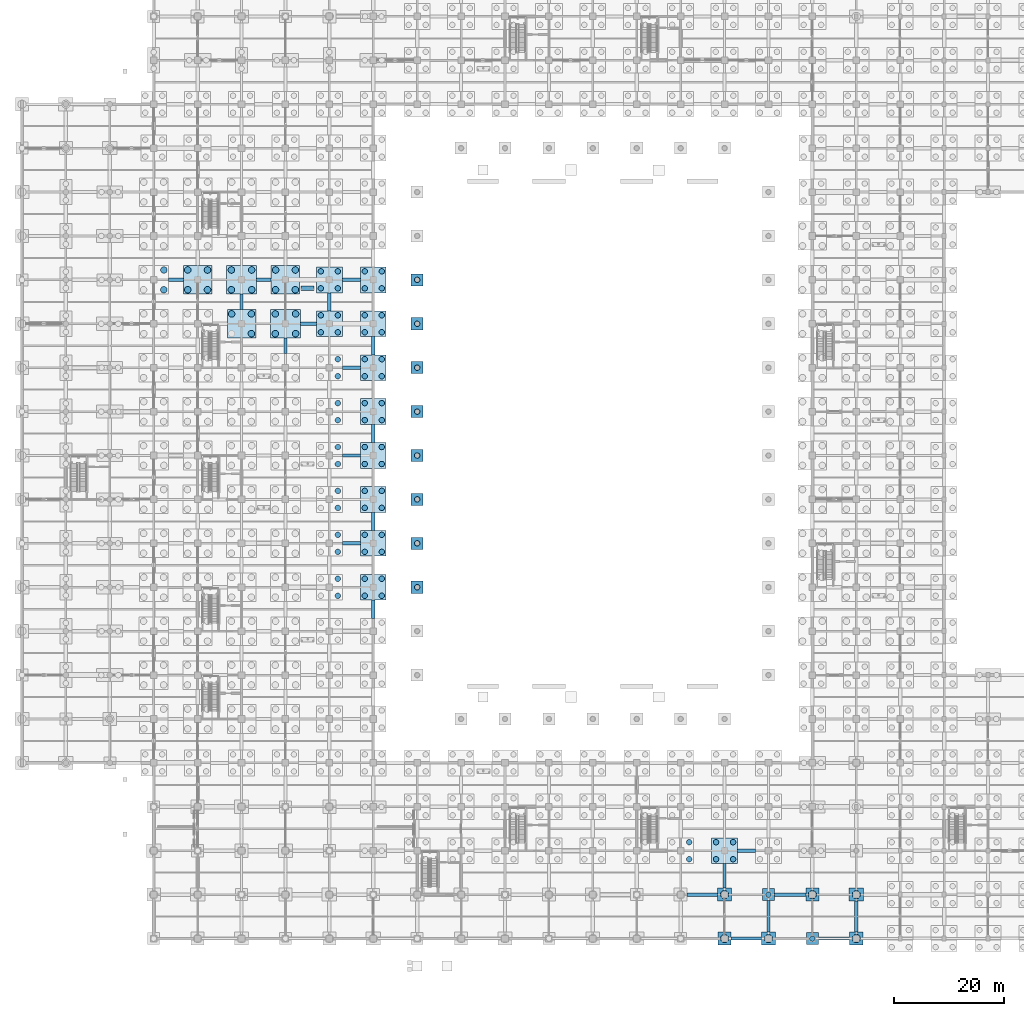
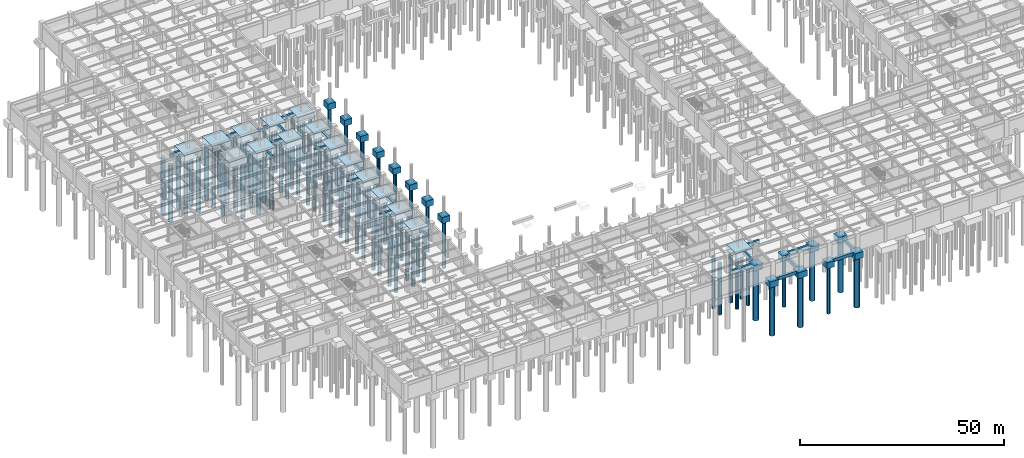
# One storey, part 7 of 97: 95 piles, 55 footings.
"""IFC4 building model written with IfcOpenShell, lengths in metres."""

from ifc_helpers import new_model, si_unit, direction, frame, origin, origin_2d, place, context, subcontext, project, spatial, rectangle, circle, extrude, material, layer, layer_set, material_profile, profile_set, type_object, element, save


model = new_model("IFC4")

# Units and contexts
model_context = context("Model", 3, precision=1e-05, world=origin(), true_north=direction((0.0, 1.0)))
body_context = subcontext(model_context, "Body", "Model", "MODEL_VIEW")
ifc_project = project(units=[si_unit("LENGTHUNIT", "METRE"), si_unit("AREAUNIT", "SQUARE_METRE"), si_unit("VOLUMEUNIT", "CUBIC_METRE"), si_unit("PLANEANGLEUNIT", "RADIAN"), si_unit("MASSUNIT", "GRAM", prefix="KILO")], contexts=[model_context])

# Site, building, storey
site_placement = place(None, origin())
site = spatial("IfcSite", under=ifc_project, at=site_placement, CompositionType="ELEMENT")
building_placement = place(site_placement, origin())
building = spatial("IfcBuilding", under=site, at=building_placement, Name="Haebicheon Civic Stadium", CompositionType="ELEMENT")
storey_placement = place(building_placement, frame((0.0, 0.0, -5.39990234375)))
storey = spatial("IfcBuildingStorey", under=building, at=storey_placement, Name="B1", CompositionType="ELEMENT", Elevation=-5.39990234375)

# Footings
ifc_material_1 = material(Name="Concrete C40/50", Category="concrete")
ifc_layer_1 = layer(ifc_material_1, 1.0, Name="Concrete C40/50")
ifc_layer_set_1 = layer_set([ifc_layer_1], Name="Concrete C40/50")
footing_type_1 = type_object("IfcFootingType", Name="FB-2700x600", PredefinedType="FOOTING_BEAM", material=ifc_layer_set_1)
for number, where, z_axis, x_axis, name in (
    (1, (28.050048828125, 120.0, -1.0), (0.0, 0.0, 1.0), (1.0, 0.0, 0.0), "Ground tie beam X 03-15"),
    (2, (44.050048828125, 120.0, -1.0), (0.0, 0.0, 1.0), (1.0, 0.0, 0.0), "Ground tie beam X 05-15"),
):
    element("IfcFooting", number, at=place(storey_placement, frame(where, z_axis=z_axis, x_axis=x_axis)), inside=storey, type_object=footing_type_1, material=ifc_layer_set_1, Name=name, PredefinedType="FOOTING_BEAM", context=body_context, shape_type="SweptSolid", body=[
        extrude(rectangle(XDim=2.699951171875, YDim=0.60009765625, at=origin_2d()), origin(), (0.0, 0.0, 1.0), 1.0),
    ])
ifc_material_2 = material(Name="Concrete C40/50", Category="concrete")
ifc_layer_2 = layer(ifc_material_2, 1.0, Name="Concrete C40/50")
ifc_layer_set_2 = layer_set([ifc_layer_2], Name="Concrete C40/50")
footing_type_2 = type_object("IfcFootingType", Name="FB-2800x600", PredefinedType="FOOTING_BEAM", material=ifc_layer_set_2)
for number, where, z_axis, x_axis, name in (
    (3, (40.0, 116.0, -1.0), (0.0, 0.0, 1.0), (0.0, 1.0, 0.0), "Ground tie beam Y 05-14"),
    (4, (48.0, 108.0, -1.0), (0.0, 0.0, 1.0), (0.0, 1.0, 0.0), "Ground tie beam Y 06-13"),
):
    element("IfcFooting", number, at=place(storey_placement, frame(where, z_axis=z_axis, x_axis=x_axis)), inside=storey, type_object=footing_type_2, material=ifc_layer_set_2, Name=name, PredefinedType="FOOTING_BEAM", context=body_context, shape_type="SweptSolid", body=[
        extrude(rectangle(XDim=2.800048828125, YDim=0.60009765625, at=origin_2d()), origin(), (0.0, 0.0, 1.0), 1.0),
    ])
ifc_material_3 = material(Name="Concrete C40/50", Category="concrete")
ifc_layer_3 = layer(ifc_material_3, 1.0, Name="Concrete C40/50")
ifc_layer_set_3 = layer_set([ifc_layer_3], Name="Concrete C40/50")
footing_type_3 = type_object("IfcFootingType", Name="FB-2950x600", PredefinedType="FOOTING_BEAM", material=ifc_layer_set_3)
footing_1_placement = place(storey_placement, frame((52.175048828125, 112.0, -1.0), z_axis=(0.0, 0.0, 1.0), x_axis=(1.0, 0.0, 0.0)))
element("IfcFooting", 5, at=footing_1_placement, inside=storey, type_object=footing_type_3, material=ifc_layer_set_3, Name="Ground tie beam X 06-14", PredefinedType="FOOTING_BEAM", context=body_context, shape_type="SweptSolid", body=[
    extrude(rectangle(XDim=2.949951171875, YDim=0.60009765625, at=origin_2d()), origin(), (0.0, 0.0, 1.0), 1.0),
])
ifc_material_4 = material(Name="Concrete C40/50", Category="concrete")
ifc_layer_4 = layer(ifc_material_4, 1.0, Name="Concrete C40/50")
ifc_layer_set_4 = layer_set([ifc_layer_4], Name="Concrete C40/50")
footing_type_4 = type_object("IfcFootingType", Name="FB-3300x600", PredefinedType="FOOTING_BEAM", material=ifc_layer_set_4)
for number, where, z_axis, x_axis, name in (
    (6, (60.0, 72.0, -1.0), (0.0, 0.0, 1.0), (1.0, 0.0, 0.0), "Ground tie beam X 07-09"),
    (7, (60.0, 88.0, -1.0), (0.0, 0.0, 1.0), (1.0, 0.0, 0.0), "Ground tie beam X 07-11"),
    (8, (60.0, 104.0, -1.0), (0.0, 0.0, 1.0), (1.0, 0.0, 0.0), "Ground tie beam X 07-13"),
    (9, (56.0, 116.0, -1.0), (0.0, 0.0, 1.0), (0.0, 1.0, 0.0), "Ground tie beam Y 07-14"),
    (10, (60.0, 120.0, -1.0), (0.0, 0.0, 1.0), (1.0, 0.0, 0.0), "Ground tie beam X 07-15"),
    (11, (64.0, 60.0, -1.0), (0.0, 0.0, 1.0), (0.0, 1.0, 0.0), "Ground tie beam Y 08-07"),
    (12, (64.0, 76.0, -1.0), (0.0, 0.0, 1.0), (0.0, 1.0, 0.0), "Ground tie beam Y 08-09"),
    (13, (64.0, 92.0, -1.0), (0.0, 0.0, 1.0), (0.0, 1.0, 0.0), "Ground tie beam Y 08-11"),
    (14, (64.0, 108.0, -1.0), (0.0, 0.0, 1.0), (0.0, 1.0, 0.0), "Ground tie beam Y 08-13"),
    (15, (132.0, 16.0, -1.0), (0.0, 0.0, 1.0), (1.0, 0.0, 0.0), "Ground tie beam X 16-02"),
):
    element("IfcFooting", number, at=place(storey_placement, frame(where, z_axis=z_axis, x_axis=x_axis)), inside=storey, type_object=footing_type_4, material=ifc_layer_set_4, Name=name, PredefinedType="FOOTING_BEAM", context=body_context, shape_type="SweptSolid", body=[
        extrude(rectangle(XDim=3.300048828125, YDim=0.60009765625, at=origin_2d()), origin(), (0.0, 0.0, 1.0), 1.0),
    ])
ifc_material_5 = material(Name="Concrete C40/50", Category="concrete")
ifc_layer_5 = layer(ifc_material_5, 1.0, Name="Concrete C40/50")
ifc_layer_set_5 = layer_set([ifc_layer_5], Name="Concrete C40/50")
footing_type_5 = type_object("IfcFootingType", Name="FB-4450x600", PredefinedType="FOOTING_BEAM", material=ifc_layer_set_5)
footing_2_placement = place(storey_placement, frame((128.0, 11.425048828125, -1.0), z_axis=(0.0, 0.0, 1.0), x_axis=(0.0, 1.0, 0.0)))
element("IfcFooting", 16, at=footing_2_placement, inside=storey, type_object=footing_type_5, material=ifc_layer_set_5, Name="Ground tie beam Y 16-01", PredefinedType="FOOTING_BEAM", context=body_context, shape_type="SweptSolid", body=[
    extrude(rectangle(XDim=4.449951171875, YDim=0.60009765625, at=origin_2d()), origin(), (0.0, 0.0, 1.0), 1.0),
])
ifc_material_6 = material(Name="Concrete C40/50", Category="concrete")
ifc_layer_6 = layer(ifc_material_6, 1.0, Name="Concrete C40/50")
ifc_layer_set_6 = layer_set([ifc_layer_6], Name="Concrete C40/50")
footing_type_6 = type_object("IfcFootingType", Name="FB-5500x600", PredefinedType="FOOTING_BEAM", material=ifc_layer_set_6)
for number, where, z_axis, x_axis, name in (
    (17, (123.949951171875, 8.0, -1.0), (0.0, 0.0, 1.0), (1.0, 0.0, 0.0), "Ground tie beam X 15-01"),
    (18, (131.949951171875, 0.0, -1.0), (0.0, 0.0, 1.0), (1.0, 0.0, 0.0), "Ground tie beam X 16-00"),
):
    element("IfcFooting", number, at=place(storey_placement, frame(where, z_axis=z_axis, x_axis=x_axis)), inside=storey, type_object=footing_type_6, material=ifc_layer_set_6, Name=name, PredefinedType="FOOTING_BEAM", context=body_context, shape_type="SweptSolid", body=[
        extrude(rectangle(XDim=5.5, YDim=0.60009765625, at=origin_2d()), origin(), (0.0, 0.0, 1.0), 1.0),
    ])
ifc_material_7 = material(Name="Concrete C40/50", Category="concrete")
ifc_layer_7 = layer(ifc_material_7, 1.0, Name="Concrete C40/50")
ifc_layer_set_7 = layer_set([ifc_layer_7], Name="Concrete C40/50")
footing_type_7 = type_object("IfcFootingType", Name="FB-5600x600", PredefinedType="FOOTING_BEAM", material=ifc_layer_set_7)
footing_3_placement = place(storey_placement, frame((152.0, 4.0, -1.0), z_axis=(0.0, 0.0, 1.0), x_axis=(0.0, 1.0, 0.0)))
element("IfcFooting", 19, at=footing_3_placement, inside=storey, type_object=footing_type_7, material=ifc_layer_set_7, Name="Ground tie beam Y 19-00", PredefinedType="FOOTING_BEAM", context=body_context, shape_type="SweptSolid", body=[
    extrude(rectangle(XDim=5.60009765625, YDim=0.60009765625, at=origin_2d()), origin(), (0.0, 0.0, 1.0), 1.0),
])
ifc_material_8 = material(Name="Concrete C40/50", Category="concrete")
ifc_layer_8 = layer(ifc_material_8, 1.0, Name="Concrete C40/50")
ifc_layer_set_8 = layer_set([ifc_layer_8], Name="Concrete C40/50")
footing_type_8 = type_object("IfcFootingType", Name="FB-5700x600", PredefinedType="FOOTING_BEAM", material=ifc_layer_set_8)
for number, where, z_axis, x_axis, name in (
    (20, (136.0, 4.050048828125, -1.0), (0.0, 0.0, 1.0), (0.0, 1.0, 0.0), "Ground tie beam Y 17-00"),
    (21, (139.949951171875, 8.0, -1.0), (0.0, 0.0, 1.0), (1.0, 0.0, 0.0), "Ground tie beam X 17-01"),
    (22, (147.949951171875, 0.0, -1.0), (0.0, 0.0, 1.0), (1.0, 0.0, 0.0), "Ground tie beam X 18-00"),
):
    element("IfcFooting", number, at=place(storey_placement, frame(where, z_axis=z_axis, x_axis=x_axis)), inside=storey, type_object=footing_type_8, material=ifc_layer_set_8, Name=name, PredefinedType="FOOTING_BEAM", context=body_context, shape_type="SweptSolid", body=[
        extrude(rectangle(XDim=5.699951171875, YDim=0.60009765625, at=origin_2d()), origin(), (0.0, 0.0, 1.0), 1.0),
    ])
ifc_material_9 = material(Name="Concrete C40/50", Category="concrete")
ifc_layer_9 = layer(ifc_material_9, 1.800048828125, Name="Concrete C40/50")
ifc_layer_set_9 = layer_set([ifc_layer_9], Name="Concrete C40/50")
footing_type_9 = type_object("IfcFootingType", Name="PC-1P-2200", PredefinedType="PILE_CAP", material=ifc_layer_set_9)
for number, where, z_axis, x_axis, name in (
    (23, (136.0, 8.0, -1.80029296875), (0.0, 0.0, 1.0), (1.0, 0.0, 0.0), "Pile cap FT-PC-17-01"),
    (24, (144.0, 0.0, -1.80029296875), (0.0, 0.0, 1.0), (1.0, 0.0, 0.0), "Pile cap FT-PC-18-00"),
    (25, (72.0, 64.0, -1.80029296875), (0.0, 0.0, 1.0), (1.0, 0.0, 0.0), "Bowl pier pile cap FT-BPC-003"),
    (26, (72.0, 72.0, -1.80029296875), (0.0, 0.0, 1.0), (1.0, 0.0, 0.0), "Bowl pier pile cap FT-BPC-004"),
    (27, (72.0, 80.0, -1.80029296875), (0.0, 0.0, 1.0), (1.0, 0.0, 0.0), "Bowl pier pile cap FT-BPC-005"),
    (28, (72.0, 88.0, -1.80029296875), (0.0, 0.0, 1.0), (1.0, 0.0, 0.0), "Bowl pier pile cap FT-BPC-006"),
    (29, (72.0, 96.0, -1.80029296875), (0.0, 0.0, 1.0), (1.0, 0.0, 0.0), "Bowl pier pile cap FT-BPC-007"),
    (30, (72.0, 104.0, -1.80029296875), (0.0, 0.0, 1.0), (1.0, 0.0, 0.0), "Bowl pier pile cap FT-BPC-008"),
    (31, (72.0, 112.0, -1.80029296875), (0.0, 0.0, 1.0), (1.0, 0.0, 0.0), "Bowl pier pile cap FT-BPC-009"),
    (32, (72.0, 120.0, -1.80029296875), (0.0, 0.0, 1.0), (1.0, 0.0, 0.0), "Bowl pier pile cap FT-BPC-010"),
):
    element("IfcFooting", number, at=place(storey_placement, frame(where, z_axis=z_axis, x_axis=x_axis)), inside=storey, type_object=footing_type_9, material=ifc_layer_set_9, Name=name, PredefinedType="PILE_CAP", context=body_context, shape_type="SweptSolid", body=[
        extrude(rectangle(XDim=2.199951171875, YDim=2.199951171875, at=origin_2d()), origin(), (0.0, 0.0, 1.0), 1.800048828125),
    ])
ifc_material_10 = material(Name="Concrete C40/50", Category="concrete")
ifc_layer_10 = layer(ifc_material_10, 1.800048828125, Name="Concrete C40/50")
ifc_layer_set_10 = layer_set([ifc_layer_10], Name="Concrete C40/50")
footing_type_10 = type_object("IfcFootingType", Name="PC-1P-2400", PredefinedType="PILE_CAP", material=ifc_layer_set_10)
for number, where, z_axis, x_axis, name in (
    (33, (128.0, 0.0, -1.80029296875), (0.0, 0.0, 1.0), (1.0, 0.0, 0.0), "Pile cap FT-PC-16-00"),
    (34, (144.0, 8.0, -1.80029296875), (0.0, 0.0, 1.0), (1.0, 0.0, 0.0), "Pile cap FT-PC-18-01"),
    (35, (152.0, 0.0, -1.80029296875), (0.0, 0.0, 1.0), (1.0, 0.0, 0.0), "Pile cap FT-PC-19-00"),
):
    element("IfcFooting", number, at=place(storey_placement, frame(where, z_axis=z_axis, x_axis=x_axis)), inside=storey, type_object=footing_type_10, material=ifc_layer_set_10, Name=name, PredefinedType="PILE_CAP", context=body_context, shape_type="SweptSolid", body=[
        extrude(rectangle(XDim=2.39990234375, YDim=2.39990234375, at=origin_2d()), origin(), (0.0, 0.0, 1.0), 1.800048828125),
    ])
ifc_material_11 = material(Name="Concrete C40/50", Category="concrete")
ifc_layer_11 = layer(ifc_material_11, 1.800048828125, Name="Concrete C40/50")
ifc_layer_set_11 = layer_set([ifc_layer_11], Name="Concrete C40/50")
footing_type_11 = type_object("IfcFootingType", Name="PC-1P-2600", PredefinedType="PILE_CAP", material=ifc_layer_set_11)
for number, where, z_axis, x_axis, name in (
    (36, (128.0, 8.0, -1.80029296875), (0.0, 0.0, 1.0), (1.0, 0.0, 0.0), "Pile cap FT-PC-16-01"),
    (37, (136.0, 0.0, -1.80029296875), (0.0, 0.0, 1.0), (1.0, 0.0, 0.0), "Pile cap FT-PC-17-00"),
    (38, (152.0, 8.0, -1.80029296875), (0.0, 0.0, 1.0), (1.0, 0.0, 0.0), "Pile cap FT-PC-19-01"),
):
    element("IfcFooting", number, at=place(storey_placement, frame(where, z_axis=z_axis, x_axis=x_axis)), inside=storey, type_object=footing_type_11, material=ifc_layer_set_11, Name=name, PredefinedType="PILE_CAP", context=body_context, shape_type="SweptSolid", body=[
        extrude(rectangle(XDim=2.60009765625, YDim=2.39990234375, at=origin_2d()), origin(), (0.0, 0.0, 1.0), 1.800048828125),
    ])
ifc_material_12 = material(Name="Concrete C40/50", Category="concrete")
ifc_layer_12 = layer(ifc_material_12, 1.800048828125, Name="Concrete C40/50")
ifc_layer_set_12 = layer_set([ifc_layer_12], Name="Concrete C40/50")
footing_type_12 = type_object("IfcFootingType", Name="PC-4P-4700", PredefinedType="PILE_CAP", material=ifc_layer_set_12)
for number, where, z_axis, x_axis, name in (
    (39, (56.0, 112.0, -1.80029296875), (0.0, 0.0, 1.0), (1.0, 0.0, 0.0), "Pile cap FT-PC-07-14"),
    (40, (56.0, 120.0, -1.80029296875), (0.0, 0.0, 1.0), (1.0, 0.0, 0.0), "Pile cap FT-PC-07-15"),
    (41, (64.0, 64.0, -1.80029296875), (0.0, 0.0, 1.0), (1.0, 0.0, 0.0), "Pile cap FT-PC-08-08"),
    (42, (64.0, 72.0, -1.80029296875), (0.0, 0.0, 1.0), (1.0, 0.0, 0.0), "Pile cap FT-PC-08-09"),
    (43, (64.0, 80.0, -1.80029296875), (0.0, 0.0, 1.0), (1.0, 0.0, 0.0), "Pile cap FT-PC-08-10"),
    (44, (64.0, 88.0, -1.80029296875), (0.0, 0.0, 1.0), (1.0, 0.0, 0.0), "Pile cap FT-PC-08-11"),
    (45, (64.0, 96.0, -1.80029296875), (0.0, 0.0, 1.0), (1.0, 0.0, 0.0), "Pile cap FT-PC-08-12"),
    (46, (64.0, 104.0, -1.80029296875), (0.0, 0.0, 1.0), (1.0, 0.0, 0.0), "Pile cap FT-PC-08-13"),
    (47, (64.0, 112.0, -1.80029296875), (0.0, 0.0, 1.0), (1.0, 0.0, 0.0), "Pile cap FT-PC-08-14"),
    (48, (64.0, 120.0, -1.80029296875), (0.0, 0.0, 1.0), (1.0, 0.0, 0.0), "Pile cap FT-PC-08-15"),
    (49, (128.0, 16.0, -1.80029296875), (0.0, 0.0, 1.0), (1.0, 0.0, 0.0), "Pile cap FT-PC-16-02"),
):
    element("IfcFooting", number, at=place(storey_placement, frame(where, z_axis=z_axis, x_axis=x_axis)), inside=storey, type_object=footing_type_12, material=ifc_layer_set_12, Name=name, PredefinedType="PILE_CAP", context=body_context, shape_type="SweptSolid", body=[
        extrude(rectangle(XDim=4.699951171875, YDim=4.699951171875, at=origin_2d()), origin(), (0.0, 0.0, 1.0), 1.800048828125),
    ])
ifc_material_13 = material(Name="Concrete C40/50", Category="concrete")
ifc_layer_13 = layer(ifc_material_13, 1.800048828125, Name="Concrete C40/50")
ifc_layer_set_13 = layer_set([ifc_layer_13], Name="Concrete C40/50")
footing_type_13 = type_object("IfcFootingType", Name="PC-4P-5200", PredefinedType="PILE_CAP", material=ifc_layer_set_13)
for number, where, z_axis, x_axis, name in (
    (50, (32.0, 120.0, -1.80029296875), (0.0, 0.0, 1.0), (1.0, 0.0, 0.0), "Pile cap FT-PC-04-15"),
    (51, (40.0, 112.0, -1.80029296875), (0.0, 0.0, 1.0), (1.0, 0.0, 0.0), "Pile cap FT-PC-05-14"),
    (52, (48.0, 120.0, -1.80029296875), (0.0, 0.0, 1.0), (1.0, 0.0, 0.0), "Pile cap FT-PC-06-15"),
):
    element("IfcFooting", number, at=place(storey_placement, frame(where, z_axis=z_axis, x_axis=x_axis)), inside=storey, type_object=footing_type_13, material=ifc_layer_set_13, Name=name, PredefinedType="PILE_CAP", context=body_context, shape_type="SweptSolid", body=[
        extrude(rectangle(XDim=5.199951171875, YDim=5.199951171875, at=origin_2d()), origin(), (0.0, 0.0, 1.0), 1.800048828125),
    ])
ifc_material_14 = material(Name="Concrete C40/50", Category="concrete")
ifc_layer_14 = layer(ifc_material_14, 1.800048828125, Name="Concrete C40/50")
ifc_layer_set_14 = layer_set([ifc_layer_14], Name="Concrete C40/50")
footing_type_14 = type_object("IfcFootingType", Name="PC-4P-5400", PredefinedType="PILE_CAP", material=ifc_layer_set_14)
for number, where, z_axis, x_axis, name in (
    (53, (40.0, 120.0, -1.80029296875), (0.0, 0.0, 1.0), (1.0, 0.0, 0.0), "Pile cap FT-PC-05-15"),
    (54, (48.0, 112.0, -1.80029296875), (0.0, 0.0, 1.0), (1.0, 0.0, 0.0), "Pile cap FT-PC-06-14"),
):
    element("IfcFooting", number, at=place(storey_placement, frame(where, z_axis=z_axis, x_axis=x_axis)), inside=storey, type_object=footing_type_14, material=ifc_layer_set_14, Name=name, PredefinedType="PILE_CAP", context=body_context, shape_type="SweptSolid", body=[
        extrude(rectangle(XDim=5.39990234375, YDim=5.199951171875, at=origin_2d()), origin(), (0.0, 0.0, 1.0), 1.800048828125),
    ])
ifc_material_15 = material(Name="Concrete C35/45", Category="concrete")
ifc_layer_15 = layer(ifc_material_15, 0.89990234375, Name="Concrete C35/45")
ifc_layer_set_15 = layer_set([ifc_layer_15], Name="Concrete C35/45")
footing_type_15 = type_object("IfcFootingType", Name="PF-2360x800", PredefinedType="PAD_FOOTING", material=ifc_layer_set_15)
footing_4_placement = place(storey_placement, frame((52.050048828125, 118.449951171875, -0.900146484375), z_axis=(0.0, 0.0, 1.0), x_axis=(1.0, 0.0, 0.0)))
element("IfcFooting", 55, at=footing_4_placement, inside=storey, type_object=footing_type_15, material=ifc_layer_set_15, Name="VM-03 vomitory landing pad footing", PredefinedType="PAD_FOOTING", context=body_context, shape_type="SweptSolid", body=[
    extrude(rectangle(XDim=2.360107421875, YDim=0.800048828125, at=origin_2d()), origin(), (0.0, 0.0, 1.0), 0.89990234375),
])

# Piles
ifc_material_16 = material(Name="Concrete C40/50", Category="concrete")
ifc_material_profile_1 = material_profile(ifc_material_16, circle(Radius=0.5, at=origin_2d()), Name="PILE-D1000")
ifc_profile_set_1 = profile_set([ifc_material_profile_1], Name="Concrete C40/50")
pile_type_1 = type_object("IfcPileType", Name="PL-D1000", PredefinedType="BORED", material=ifc_profile_set_1)
for number, where, z_axis, x_axis, name in (
    (56, (57.550048828125, 62.449951171875, -1.7001953125), (0.0, 0.0, -1.0), (1.0, 0.0, 0.0), "Bored pile 07-08-2"),
    (57, (57.550048828125, 65.550048828125, -1.7001953125), (0.0, 0.0, -1.0), (1.0, 0.0, 0.0), "Bored pile 07-08-4"),
    (58, (57.550048828125, 70.449951171875, -1.7001953125), (0.0, 0.0, -1.0), (1.0, 0.0, 0.0), "Bored pile 07-09-2"),
    (59, (57.550048828125, 73.550048828125, -1.7001953125), (0.0, 0.0, -1.0), (1.0, 0.0, 0.0), "Bored pile 07-09-4"),
    (60, (57.550048828125, 78.449951171875, -1.7001953125), (0.0, 0.0, -1.0), (1.0, 0.0, 0.0), "Bored pile 07-10-2"),
    (61, (57.550048828125, 81.550048828125, -1.7001953125), (0.0, 0.0, -1.0), (1.0, 0.0, 0.0), "Bored pile 07-10-4"),
    (62, (57.550048828125, 86.449951171875, -1.7001953125), (0.0, 0.0, -1.0), (1.0, 0.0, 0.0), "Bored pile 07-11-2"),
    (63, (57.550048828125, 89.550048828125, -1.7001953125), (0.0, 0.0, -1.0), (1.0, 0.0, 0.0), "Bored pile 07-11-4"),
    (64, (57.550048828125, 94.449951171875, -1.7001953125), (0.0, 0.0, -1.0), (1.0, 0.0, 0.0), "Bored pile 07-12-2"),
    (65, (57.550048828125, 97.550048828125, -1.7001953125), (0.0, 0.0, -1.0), (1.0, 0.0, 0.0), "Bored pile 07-12-4"),
    (66, (57.550048828125, 102.449951171875, -1.7001953125), (0.0, 0.0, -1.0), (1.0, 0.0, 0.0), "Bored pile 07-13-2"),
    (67, (57.550048828125, 105.550048828125, -1.7001953125), (0.0, 0.0, -1.0), (1.0, 0.0, 0.0), "Bored pile 07-13-4"),
    (68, (54.449951171875, 110.449951171875, -1.7001953125), (0.0, 0.0, -1.0), (1.0, 0.0, 0.0), "Bored pile 07-14-1"),
    (69, (57.550048828125, 110.449951171875, -1.7001953125), (0.0, 0.0, -1.0), (1.0, 0.0, 0.0), "Bored pile 07-14-2"),
    (70, (54.449951171875, 113.550048828125, -1.7001953125), (0.0, 0.0, -1.0), (1.0, 0.0, 0.0), "Bored pile 07-14-3"),
    (71, (57.550048828125, 113.550048828125, -1.7001953125), (0.0, 0.0, -1.0), (1.0, 0.0, 0.0), "Bored pile 07-14-4"),
    (72, (54.449951171875, 118.449951171875, -1.7001953125), (0.0, 0.0, -1.0), (1.0, 0.0, 0.0), "Bored pile 07-15-1"),
    (73, (57.550048828125, 118.449951171875, -1.7001953125), (0.0, 0.0, -1.0), (1.0, 0.0, 0.0), "Bored pile 07-15-2"),
    (74, (54.449951171875, 121.550048828125, -1.7001953125), (0.0, 0.0, -1.0), (1.0, 0.0, 0.0), "Bored pile 07-15-3"),
    (75, (57.550048828125, 121.550048828125, -1.7001953125), (0.0, 0.0, -1.0), (1.0, 0.0, 0.0), "Bored pile 07-15-4"),
    (76, (62.449951171875, 62.449951171875, -1.7001953125), (0.0, 0.0, -1.0), (1.0, 0.0, 0.0), "Bored pile 08-08-1"),
    (77, (65.550048828125, 62.449951171875, -1.7001953125), (0.0, 0.0, -1.0), (1.0, 0.0, 0.0), "Bored pile 08-08-2"),
    (78, (62.449951171875, 65.550048828125, -1.7001953125), (0.0, 0.0, -1.0), (1.0, 0.0, 0.0), "Bored pile 08-08-3"),
    (79, (65.550048828125, 65.550048828125, -1.7001953125), (0.0, 0.0, -1.0), (1.0, 0.0, 0.0), "Bored pile 08-08-4"),
    (80, (62.449951171875, 70.449951171875, -1.7001953125), (0.0, 0.0, -1.0), (1.0, 0.0, 0.0), "Bored pile 08-09-1"),
    (81, (65.550048828125, 70.449951171875, -1.7001953125), (0.0, 0.0, -1.0), (1.0, 0.0, 0.0), "Bored pile 08-09-2"),
    (82, (62.449951171875, 73.550048828125, -1.7001953125), (0.0, 0.0, -1.0), (1.0, 0.0, 0.0), "Bored pile 08-09-3"),
    (83, (65.550048828125, 73.550048828125, -1.7001953125), (0.0, 0.0, -1.0), (1.0, 0.0, 0.0), "Bored pile 08-09-4"),
    (84, (62.449951171875, 78.449951171875, -1.7001953125), (0.0, 0.0, -1.0), (1.0, 0.0, 0.0), "Bored pile 08-10-1"),
    (85, (65.550048828125, 78.449951171875, -1.7001953125), (0.0, 0.0, -1.0), (1.0, 0.0, 0.0), "Bored pile 08-10-2"),
    (86, (62.449951171875, 81.550048828125, -1.7001953125), (0.0, 0.0, -1.0), (1.0, 0.0, 0.0), "Bored pile 08-10-3"),
    (87, (65.550048828125, 81.550048828125, -1.7001953125), (0.0, 0.0, -1.0), (1.0, 0.0, 0.0), "Bored pile 08-10-4"),
    (88, (62.449951171875, 86.449951171875, -1.7001953125), (0.0, 0.0, -1.0), (1.0, 0.0, 0.0), "Bored pile 08-11-1"),
    (89, (65.550048828125, 86.449951171875, -1.7001953125), (0.0, 0.0, -1.0), (1.0, 0.0, 0.0), "Bored pile 08-11-2"),
    (90, (62.449951171875, 89.550048828125, -1.7001953125), (0.0, 0.0, -1.0), (1.0, 0.0, 0.0), "Bored pile 08-11-3"),
    (91, (65.550048828125, 89.550048828125, -1.7001953125), (0.0, 0.0, -1.0), (1.0, 0.0, 0.0), "Bored pile 08-11-4"),
    (92, (62.449951171875, 94.449951171875, -1.7001953125), (0.0, 0.0, -1.0), (1.0, 0.0, 0.0), "Bored pile 08-12-1"),
    (93, (65.550048828125, 94.449951171875, -1.7001953125), (0.0, 0.0, -1.0), (1.0, 0.0, 0.0), "Bored pile 08-12-2"),
    (94, (62.449951171875, 97.550048828125, -1.7001953125), (0.0, 0.0, -1.0), (1.0, 0.0, 0.0), "Bored pile 08-12-3"),
    (95, (65.550048828125, 97.550048828125, -1.7001953125), (0.0, 0.0, -1.0), (1.0, 0.0, 0.0), "Bored pile 08-12-4"),
    (96, (62.449951171875, 102.449951171875, -1.7001953125), (0.0, 0.0, -1.0), (1.0, 0.0, 0.0), "Bored pile 08-13-1"),
    (97, (65.550048828125, 102.449951171875, -1.7001953125), (0.0, 0.0, -1.0), (1.0, 0.0, 0.0), "Bored pile 08-13-2"),
    (98, (62.449951171875, 105.550048828125, -1.7001953125), (0.0, 0.0, -1.0), (1.0, 0.0, 0.0), "Bored pile 08-13-3"),
    (99, (65.550048828125, 105.550048828125, -1.7001953125), (0.0, 0.0, -1.0), (1.0, 0.0, 0.0), "Bored pile 08-13-4"),
    (100, (62.449951171875, 110.449951171875, -1.7001953125), (0.0, 0.0, -1.0), (1.0, 0.0, 0.0), "Bored pile 08-14-1"),
    (101, (65.550048828125, 110.449951171875, -1.7001953125), (0.0, 0.0, -1.0), (1.0, 0.0, 0.0), "Bored pile 08-14-2"),
    (102, (62.449951171875, 113.550048828125, -1.7001953125), (0.0, 0.0, -1.0), (1.0, 0.0, 0.0), "Bored pile 08-14-3"),
    (103, (65.550048828125, 113.550048828125, -1.7001953125), (0.0, 0.0, -1.0), (1.0, 0.0, 0.0), "Bored pile 08-14-4"),
    (104, (62.449951171875, 118.449951171875, -1.7001953125), (0.0, 0.0, -1.0), (1.0, 0.0, 0.0), "Bored pile 08-15-1"),
    (105, (65.550048828125, 118.449951171875, -1.7001953125), (0.0, 0.0, -1.0), (1.0, 0.0, 0.0), "Bored pile 08-15-2"),
    (106, (62.449951171875, 121.550048828125, -1.7001953125), (0.0, 0.0, -1.0), (1.0, 0.0, 0.0), "Bored pile 08-15-3"),
    (107, (65.550048828125, 121.550048828125, -1.7001953125), (0.0, 0.0, -1.0), (1.0, 0.0, 0.0), "Bored pile 08-15-4"),
    (108, (121.550048828125, 14.449951171875, -1.7001953125), (0.0, 0.0, -1.0), (1.0, 0.0, 0.0), "Bored pile 15-02-2"),
    (109, (121.550048828125, 17.550048828125, -1.7001953125), (0.0, 0.0, -1.0), (1.0, 0.0, 0.0), "Bored pile 15-02-4"),
    (110, (126.449951171875, 14.449951171875, -1.7001953125), (0.0, 0.0, -1.0), (1.0, 0.0, 0.0), "Bored pile 16-02-1"),
    (111, (129.550048828125, 14.449951171875, -1.7001953125), (0.0, 0.0, -1.0), (1.0, 0.0, 0.0), "Bored pile 16-02-2"),
    (112, (126.449951171875, 17.550048828125, -1.7001953125), (0.0, 0.0, -1.0), (1.0, 0.0, 0.0), "Bored pile 16-02-3"),
    (113, (129.550048828125, 17.550048828125, -1.7001953125), (0.0, 0.0, -1.0), (1.0, 0.0, 0.0), "Bored pile 16-02-4"),
):
    element("IfcPile", number, at=place(storey_placement, frame(where, z_axis=z_axis, x_axis=x_axis)), inside=storey, type_object=pile_type_1, material=ifc_profile_set_1, Name=name, PredefinedType="BORED", context=body_context, shape_type="SweptSolid", body=[
        extrude(circle(Radius=0.5, at=origin_2d()), origin(), (0.0, 0.0, 1.0), 15.5),
    ])
for number, where, z_axis, x_axis, name in (
    (114, (136.0, 8.0, -1.7001953125), (0.0, 0.0, -1.0), (1.0, 0.0, 0.0), "Bored pile 17-01-1"),
    (115, (144.0, 0.0, -1.7001953125), (0.0, 0.0, -1.0), (1.0, 0.0, 0.0), "Bored pile 18-00-1"),
    (116, (72.0, 64.0, -1.7001953125), (0.0, 0.0, -1.0), (1.0, 0.0, 0.0), "Bowl pier bored pile 003"),
    (117, (72.0, 72.0, -1.7001953125), (0.0, 0.0, -1.0), (1.0, 0.0, 0.0), "Bowl pier bored pile 004"),
    (118, (72.0, 80.0, -1.7001953125), (0.0, 0.0, -1.0), (1.0, 0.0, 0.0), "Bowl pier bored pile 005"),
    (119, (72.0, 88.0, -1.7001953125), (0.0, 0.0, -1.0), (1.0, 0.0, 0.0), "Bowl pier bored pile 006"),
    (120, (72.0, 96.0, -1.7001953125), (0.0, 0.0, -1.0), (1.0, 0.0, 0.0), "Bowl pier bored pile 007"),
    (121, (72.0, 104.0, -1.7001953125), (0.0, 0.0, -1.0), (1.0, 0.0, 0.0), "Bowl pier bored pile 008"),
    (122, (72.0, 112.0, -1.7001953125), (0.0, 0.0, -1.0), (1.0, 0.0, 0.0), "Bowl pier bored pile 009"),
    (123, (72.0, 120.0, -1.7001953125), (0.0, 0.0, -1.0), (1.0, 0.0, 0.0), "Bowl pier bored pile 010"),
):
    element("IfcPile", number, at=place(storey_placement, frame(where, z_axis=z_axis, x_axis=x_axis)), inside=storey, type_object=pile_type_1, material=ifc_profile_set_1, Name=name, PredefinedType="BORED", context=body_context, shape_type="SweptSolid", body=[
        extrude(circle(Radius=0.5, at=origin_2d()), origin(), (0.0, 0.0, 1.0), 14.300048828125),
    ])
ifc_material_17 = material(Name="Concrete C40/50", Category="concrete")
ifc_material_profile_2 = material_profile(ifc_material_17, circle(Radius=0.60009765625, at=origin_2d()), Name="PILE-D1200")
ifc_profile_set_2 = profile_set([ifc_material_profile_2], Name="Concrete C40/50")
pile_type_2 = type_object("IfcPileType", Name="PL-D1200", PredefinedType="BORED", material=ifc_profile_set_2)
for number, where, z_axis, x_axis, name in (
    (124, (25.85009765625, 118.199951171875, -1.7001953125), (0.0, 0.0, -1.0), (1.0, 0.0, 0.0), "Bored pile 03-15-2"),
    (125, (25.85009765625, 121.800048828125, -1.7001953125), (0.0, 0.0, -1.0), (1.0, 0.0, 0.0), "Bored pile 03-15-4"),
):
    element("IfcPile", number, at=place(storey_placement, frame(where, z_axis=z_axis, x_axis=x_axis)), inside=storey, type_object=pile_type_2, material=ifc_profile_set_2, Name=name, PredefinedType="BORED", context=body_context, shape_type="SweptSolid", body=[
        extrude(circle(Radius=0.60009765625, at=origin_2d()), origin(), (0.0, 0.0, 1.0), 17.10009765625),
    ])
for number, where, z_axis, x_axis, name in (
    (126, (30.199951171875, 118.199951171875, -1.7001953125), (0.0, 0.0, -1.0), (1.0, 0.0, 0.0), "Bored pile 04-15-1"),
    (127, (33.800048828125, 118.199951171875, -1.7001953125), (0.0, 0.0, -1.0), (1.0, 0.0, 0.0), "Bored pile 04-15-2"),
    (128, (30.199951171875, 121.800048828125, -1.7001953125), (0.0, 0.0, -1.0), (1.0, 0.0, 0.0), "Bored pile 04-15-3"),
    (129, (33.800048828125, 121.800048828125, -1.7001953125), (0.0, 0.0, -1.0), (1.0, 0.0, 0.0), "Bored pile 04-15-4"),
    (130, (41.800048828125, 110.199951171875, -1.7001953125), (0.0, 0.0, -1.0), (1.0, 0.0, 0.0), "Bored pile 05-14-2"),
    (131, (38.199951171875, 113.800048828125, -1.7001953125), (0.0, 0.0, -1.0), (1.0, 0.0, 0.0), "Bored pile 05-14-3"),
    (132, (41.800048828125, 113.800048828125, -1.7001953125), (0.0, 0.0, -1.0), (1.0, 0.0, 0.0), "Bored pile 05-14-4"),
):
    element("IfcPile", number, at=place(storey_placement, frame(where, z_axis=z_axis, x_axis=x_axis)), inside=storey, type_object=pile_type_2, material=ifc_profile_set_2, Name=name, PredefinedType="BORED", context=body_context, shape_type="SweptSolid", body=[
        extrude(circle(Radius=0.60009765625, at=origin_2d()), origin(), (0.0, 0.0, 1.0), 16.89990234375),
    ])
for number, where, z_axis, x_axis, name in (
    (133, (38.14990234375, 118.199951171875, -1.7001953125), (0.0, 0.0, -1.0), (1.0, 0.0, 0.0), "Bored pile 05-15-1"),
    (134, (41.85009765625, 118.199951171875, -1.7001953125), (0.0, 0.0, -1.0), (1.0, 0.0, 0.0), "Bored pile 05-15-2"),
    (135, (38.14990234375, 121.800048828125, -1.7001953125), (0.0, 0.0, -1.0), (1.0, 0.0, 0.0), "Bored pile 05-15-3"),
    (136, (41.85009765625, 121.800048828125, -1.7001953125), (0.0, 0.0, -1.0), (1.0, 0.0, 0.0), "Bored pile 05-15-4"),
    (137, (46.14990234375, 110.199951171875, -1.7001953125), (0.0, 0.0, -1.0), (1.0, 0.0, 0.0), "Bored pile 06-14-1"),
    (138, (49.85009765625, 110.199951171875, -1.7001953125), (0.0, 0.0, -1.0), (1.0, 0.0, 0.0), "Bored pile 06-14-2"),
    (139, (46.14990234375, 113.800048828125, -1.7001953125), (0.0, 0.0, -1.0), (1.0, 0.0, 0.0), "Bored pile 06-14-3"),
    (140, (49.85009765625, 113.800048828125, -1.7001953125), (0.0, 0.0, -1.0), (1.0, 0.0, 0.0), "Bored pile 06-14-4"),
):
    element("IfcPile", number, at=place(storey_placement, frame(where, z_axis=z_axis, x_axis=x_axis)), inside=storey, type_object=pile_type_2, material=ifc_profile_set_2, Name=name, PredefinedType="BORED", context=body_context, shape_type="SweptSolid", body=[
        extrude(circle(Radius=0.60009765625, at=origin_2d()), origin(), (0.0, 0.0, 1.0), 17.10009765625),
    ])
for number, where, z_axis, x_axis, name in (
    (141, (46.199951171875, 118.199951171875, -1.7001953125), (0.0, 0.0, -1.0), (1.0, 0.0, 0.0), "Bored pile 06-15-1"),
    (142, (49.800048828125, 118.199951171875, -1.7001953125), (0.0, 0.0, -1.0), (1.0, 0.0, 0.0), "Bored pile 06-15-2"),
    (143, (46.199951171875, 121.800048828125, -1.7001953125), (0.0, 0.0, -1.0), (1.0, 0.0, 0.0), "Bored pile 06-15-3"),
    (144, (49.800048828125, 121.800048828125, -1.7001953125), (0.0, 0.0, -1.0), (1.0, 0.0, 0.0), "Bored pile 06-15-4"),
):
    element("IfcPile", number, at=place(storey_placement, frame(where, z_axis=z_axis, x_axis=x_axis)), inside=storey, type_object=pile_type_2, material=ifc_profile_set_2, Name=name, PredefinedType="BORED", context=body_context, shape_type="SweptSolid", body=[
        extrude(circle(Radius=0.60009765625, at=origin_2d()), origin(), (0.0, 0.0, 1.0), 16.89990234375),
    ])
ifc_material_18 = material(Name="Concrete C40/50", Category="concrete")
ifc_material_profile_3 = material_profile(ifc_material_18, circle(Radius=0.75, at=origin_2d()), Name="PILE-D1500")
ifc_profile_set_3 = profile_set([ifc_material_profile_3], Name="Concrete C40/50")
pile_type_3 = type_object("IfcPileType", Name="PL-D1500", PredefinedType="BORED", material=ifc_profile_set_3)
pile_1_placement = place(storey_placement, frame((128.0, 0.0, -1.7001953125), z_axis=(0.0, 0.0, -1.0), x_axis=(1.0, 0.0, 0.0)))
element("IfcPile", 145, at=pile_1_placement, inside=storey, type_object=pile_type_3, material=ifc_profile_set_3, Name="Bored pile 16-00-1", PredefinedType="BORED", context=body_context, shape_type="SweptSolid", body=[
    extrude(circle(Radius=0.75, at=origin_2d()), origin(), (0.0, 0.0, 1.0), 15.10009765625),
])
for number, where, z_axis, x_axis, name in (
    (146, (128.0, 8.0, -1.7001953125), (0.0, 0.0, -1.0), (1.0, 0.0, 0.0), "Bored pile 16-01-1"),
    (147, (136.0, 0.0, -1.7001953125), (0.0, 0.0, -1.0), (1.0, 0.0, 0.0), "Bored pile 17-00-1"),
):
    element("IfcPile", number, at=place(storey_placement, frame(where, z_axis=z_axis, x_axis=x_axis)), inside=storey, type_object=pile_type_3, material=ifc_profile_set_3, Name=name, PredefinedType="BORED", context=body_context, shape_type="SweptSolid", body=[
        extrude(circle(Radius=0.75, at=origin_2d()), origin(), (0.0, 0.0, 1.0), 15.39990234375),
    ])
for number, where, z_axis, x_axis, name in (
    (148, (144.0, 8.0, -1.7001953125), (0.0, 0.0, -1.0), (1.0, 0.0, 0.0), "Bored pile 18-01-1"),
    (149, (152.0, 0.0, -1.7001953125), (0.0, 0.0, -1.0), (1.0, 0.0, 0.0), "Bored pile 19-00-1"),
):
    element("IfcPile", number, at=place(storey_placement, frame(where, z_axis=z_axis, x_axis=x_axis)), inside=storey, type_object=pile_type_3, material=ifc_profile_set_3, Name=name, PredefinedType="BORED", context=body_context, shape_type="SweptSolid", body=[
        extrude(circle(Radius=0.75, at=origin_2d()), origin(), (0.0, 0.0, 1.0), 15.10009765625),
    ])
pile_2_placement = place(storey_placement, frame((152.0, 8.0, -1.7001953125), z_axis=(0.0, 0.0, -1.0), x_axis=(1.0, 0.0, 0.0)))
element("IfcPile", 150, at=pile_2_placement, inside=storey, type_object=pile_type_3, material=ifc_profile_set_3, Name="Bored pile 19-01-1", PredefinedType="BORED", context=body_context, shape_type="SweptSolid", body=[
    extrude(circle(Radius=0.75, at=origin_2d()), origin(), (0.0, 0.0, 1.0), 15.39990234375),
])

save(model, "model.ifc")
